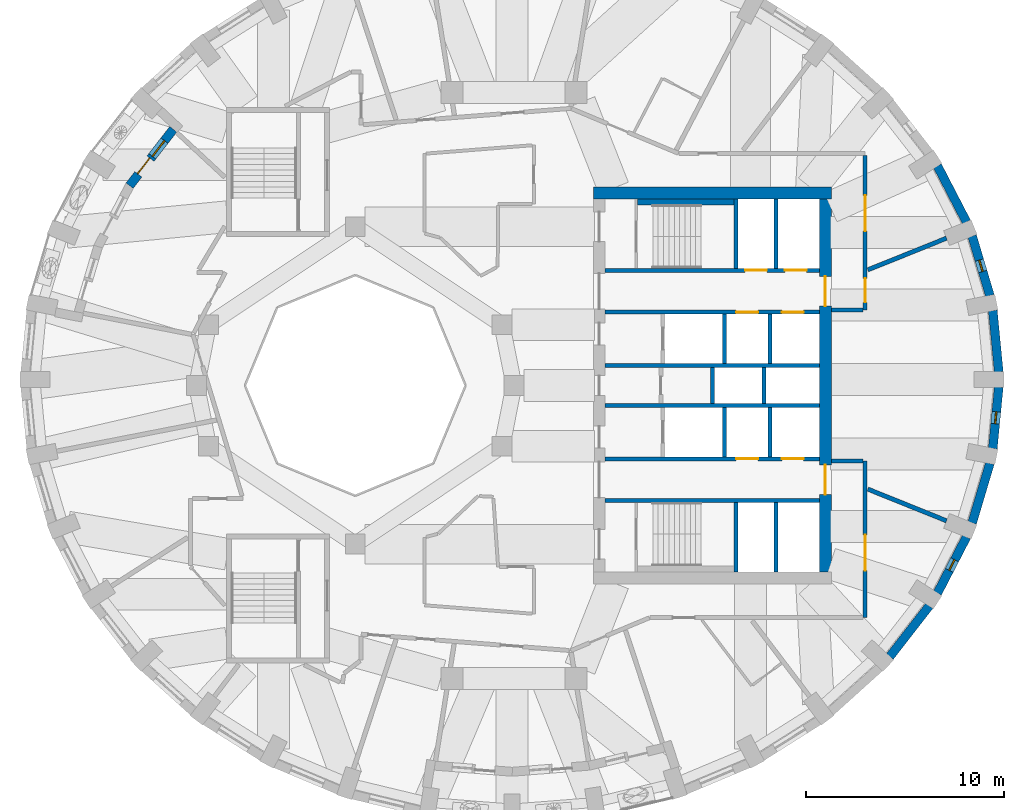
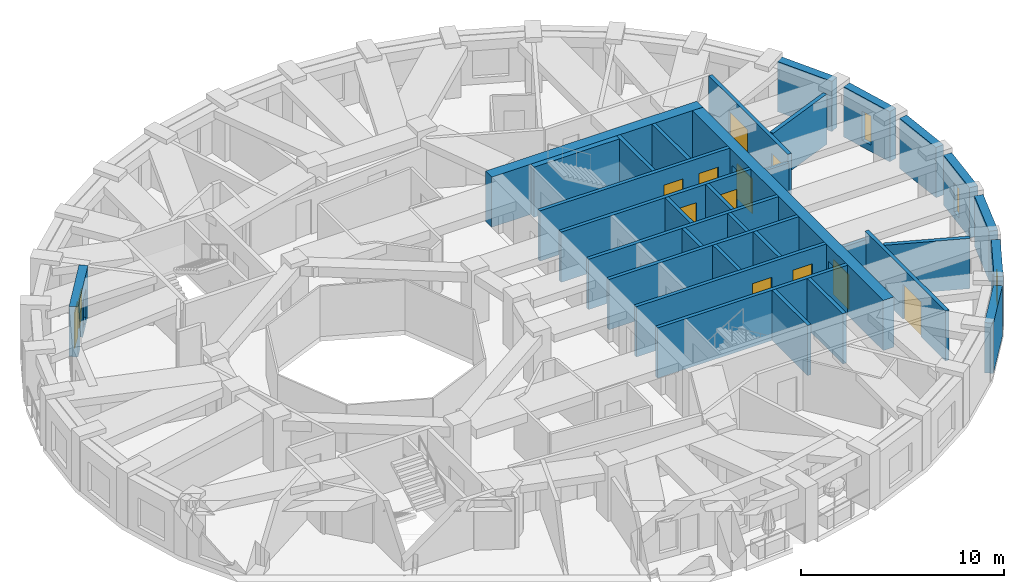
# One storey, part 6 of 12: 33 walls, 12 doors, 4 windows, 16 openings.
"""IFC4 building model written with IfcOpenShell, lengths in metres."""

from ifc_helpers import new_model, si_unit, direction, frame, frame_2d, origin, place, context, subcontext, project, spatial, rectangle, extrude, material, layer, layer_set, type_object, element, fill, save


model = new_model("IFC4")

# Units and contexts
model_context = context("Model", 3, precision=1e-05, world=origin(), true_north=direction((0.0, 1.0)))
body_context = subcontext(model_context, "Body", "Model", "MODEL_VIEW")
ifc_project = project(units=[si_unit("LENGTHUNIT", "METRE"), si_unit("AREAUNIT", "SQUARE_METRE"), si_unit("VOLUMEUNIT", "CUBIC_METRE"), si_unit("PLANEANGLEUNIT", "RADIAN"), si_unit("MASSUNIT", "GRAM", prefix="KILO")], contexts=[model_context])

# Site, building, storey
site_placement = place(None, origin())
site = spatial("IfcSite", under=ifc_project, at=site_placement, CompositionType="ELEMENT")
building_placement = place(site_placement, origin())
building = spatial("IfcBuilding", under=site, at=building_placement, Name="Taillehof Tower", CompositionType="ELEMENT")
storey_placement = place(building_placement, frame((0.0, 0.0, 249.800048828125)))
storey = spatial("IfcBuildingStorey", under=building, at=storey_placement, Name="L71", CompositionType="ELEMENT", Elevation=249.800048828125)

# Wall
ifc_material_1 = material(Name="Brick masonry", Category="masonry")
ifc_layer_1 = layer(ifc_material_1, 0.449951171875)
ifc_layer_set_1 = layer_set([ifc_layer_1], Name="Brick infill wall 450")
wall_type_1 = type_object("IfcWallType", Name="Brick infill wall 450", PredefinedType="SOLIDWALL", material=ifc_layer_set_1)
wall_1_placement = place(storey_placement, frame((24.43701171875, 0.68017578125, 0.0), z_axis=(0.0, 0.0, 1.0), x_axis=(-0.096740086873, 0.995309678237, 0.0)))
element("IfcWall", 1, at=wall_1_placement, inside=storey, type_object=wall_type_1, Name="Brick wall L71 bay 1", PredefinedType="SOLIDWALL", context=body_context, shape_type="SweptSolid", body=[
    extrude(rectangle(XDim=3.1142578125, YDim=0.449951171875, at=frame_2d((1.55712890625, 0.0))), origin(), (0.0, 0.0, 1.0), 3.02001953125),
])

# Wall, opening, window
wall_2_placement = place(storey_placement, frame((23.989990234375, 4.52587890625, 0.0), z_axis=(0.0, 0.0, 1.0), x_axis=(-0.285263800865, 0.958449040855, 0.0)))
wall_2 = element("IfcWall", 2, at=wall_2_placement, inside=storey, type_object=wall_type_1, Name="Brick wall L71 bay 2", PredefinedType="SOLIDWALL", context=body_context, shape_type="SweptSolid", body=[
    extrude(rectangle(XDim=3.13916015625, YDim=0.449951171875, at=frame_2d((1.569580078125, 0.0))), origin(), (0.0, 0.0, 1.0), 3.02001953125),
])
opening_1_placement = place(wall_2_placement, frame((1.26953125, 0.0, 0.39990234375)))
opening_1 = element("IfcOpeningElement", 3, at=opening_1_placement, cuts=wall_2, Name="Opening W6", PredefinedType="OPENING", context=body_context, shape_type="SweptSolid", body=[
    extrude(rectangle(XDim=0.60009765625, YDim=1.75, at=frame_2d((0.300048828125, 0.875))), frame((0.0, 0.23486328125, 0.0), z_axis=(0.0, -1.0, 0.0), x_axis=(1.0, 0.0, 0.0)), (0.0, 0.0, 1.0), 0.469970703125),
])
ifc_material_2 = material(Name="Aluminium window frame with clear double glazing", Category="aluminium")
window_type_1 = type_object("IfcWindowType", Name="Slot window 600x1750", PartitioningType="SINGLE_PANEL", PredefinedType="WINDOW", material=ifc_material_2)
window_1_placement = place(opening_1_placement, origin())
window_1 = element("IfcWindow", 4, at=window_1_placement, inside=storey, type_object=window_type_1, Name="W6", OverallHeight=1.75, OverallWidth=0.60009765625, PartitioningType="SINGLE_PANEL", PredefinedType="WINDOW", context=body_context, shape_type="SweptSolid", body=[
    extrude(rectangle(XDim=0.60009765625, YDim=1.75, at=frame_2d((0.300048828125, 0.875))), frame((0.0, 0.034912109375, 0.0), z_axis=(0.0, -1.0, 0.0), x_axis=(1.0, 0.0, 0.0)), (0.0, 0.0, 1.0), 0.06005859375),
])
fill(opening_1, window_1)

# Walls
wall_3_placement = place(storey_placement, frame((22.81005859375, 8.239501953125, 0.0), z_axis=(0.0, 0.0, 1.0), x_axis=(-0.459889857669, 0.887975967475, 0.0)))
element("IfcWall", 5, at=wall_3_placement, inside=storey, type_object=wall_type_1, Name="Brick wall L71 bay 3", PredefinedType="SOLIDWALL", context=body_context, shape_type="SweptSolid", body=[
    extrude(rectangle(XDim=3.185791015625, YDim=0.449951171875, at=frame_2d((1.5927734375, 0.0))), origin(), (0.0, 0.0, 1.0), 3.02001953125),
])
wall_4_placement = place(storey_placement, frame((18.941650390625, -13.671875, 0.0), z_axis=(0.0, 0.0, 1.0), x_axis=(0.613898970825, 0.789384604372, 0.0)))
element("IfcWall", 6, at=wall_4_placement, inside=storey, type_object=wall_type_1, Name="Brick wall L71 bay 33", PredefinedType="SOLIDWALL", context=body_context, shape_type="SweptSolid", body=[
    extrude(rectangle(XDim=3.2470703125, YDim=0.449951171875, at=frame_2d((1.62353515625, 0.0))), origin(), (0.0, 0.0, 1.0), 3.02001953125),
])

# Wall, opening, window
wall_5_placement = place(storey_placement, frame((21.344970703125, -10.46826171875, 0.0), z_axis=(0.0, 0.0, 1.0), x_axis=(0.459921155255, 0.887959757505, 0.0)))
wall_5 = element("IfcWall", 7, at=wall_5_placement, inside=storey, type_object=wall_type_1, Name="Brick wall L71 bay 34", PredefinedType="SOLIDWALL", context=body_context, shape_type="SweptSolid", body=[
    extrude(rectangle(XDim=3.185546875, YDim=0.449951171875, at=frame_2d((1.5927734375, 0.0))), origin(), (0.0, 0.0, 1.0), 3.02001953125),
])
opening_2_placement = place(wall_5_placement, frame((1.292724609375, 0.0, 0.39990234375)))
opening_2 = element("IfcOpeningElement", 8, at=opening_2_placement, cuts=wall_5, Name="Opening W6", PredefinedType="OPENING", context=body_context, shape_type="SweptSolid", body=[
    extrude(rectangle(XDim=0.60009765625, YDim=1.75, at=frame_2d((0.300048828125, 0.875))), frame((0.0, 0.23486328125, 0.0), z_axis=(0.0, -1.0, 0.0), x_axis=(1.0, 0.0, 0.0)), (0.0, 0.0, 1.0), 0.469970703125),
])
window_2_placement = place(opening_2_placement, origin())
window_2 = element("IfcWindow", 9, at=window_2_placement, inside=storey, type_object=window_type_1, Name="W6", OverallHeight=1.75, OverallWidth=0.60009765625, PartitioningType="SINGLE_PANEL", PredefinedType="WINDOW", context=body_context, shape_type="SweptSolid", body=[
    extrude(rectangle(XDim=0.60009765625, YDim=1.75, at=frame_2d((0.300048828125, 0.875))), frame((0.0, 0.034912109375, 0.0), z_axis=(0.0, -1.0, 0.0), x_axis=(1.0, 0.0, 0.0)), (0.0, 0.0, 1.0), 0.06005859375),
])
fill(opening_2, window_2)

# Wall
wall_6_placement = place(storey_placement, frame((23.094482421875, -6.9345703125, 0.0), z_axis=(0.0, 0.0, 1.0), x_axis=(0.285263800865, 0.958449040855, 0.0)))
element("IfcWall", 10, at=wall_6_placement, inside=storey, type_object=wall_type_1, Name="Brick wall L71 bay 35", PredefinedType="SOLIDWALL", context=body_context, shape_type="SweptSolid", body=[
    extrude(rectangle(XDim=3.13916015625, YDim=0.449951171875, at=frame_2d((1.569580078125, 0.0))), origin(), (0.0, 0.0, 1.0), 3.02001953125),
])

# Wall, opening, window
wall_7_placement = place(storey_placement, frame((24.1357421875, -3.179931640625, 0.0), z_axis=(0.0, 0.0, 1.0), x_axis=(0.09673253904, 0.995310411827, 0.0)))
wall_7 = element("IfcWall", 11, at=wall_7_placement, inside=storey, type_object=wall_type_1, Name="Brick wall L71 bay 36", PredefinedType="SOLIDWALL", context=body_context, shape_type="SweptSolid", body=[
    extrude(rectangle(XDim=3.114501953125, YDim=0.449951171875, at=frame_2d((1.55712890625, 0.0))), origin(), (0.0, 0.0, 1.0), 3.02001953125),
])
opening_3_placement = place(wall_7_placement, frame((1.257080078125, 0.0, 0.39990234375)))
opening_3 = element("IfcOpeningElement", 12, at=opening_3_placement, cuts=wall_7, Name="Opening W6", PredefinedType="OPENING", context=body_context, shape_type="SweptSolid", body=[
    extrude(rectangle(XDim=0.60009765625, YDim=1.75, at=frame_2d((0.300048828125, 0.875))), frame((0.0, 0.23486328125, 0.0), z_axis=(0.0, -1.0, 0.0), x_axis=(1.0, 0.0, 0.0)), (0.0, 0.0, 1.0), 0.469970703125),
])
window_3_placement = place(opening_3_placement, origin())
window_3 = element("IfcWindow", 13, at=window_3_placement, inside=storey, type_object=window_type_1, Name="W6", OverallHeight=1.75, OverallWidth=0.60009765625, PartitioningType="SINGLE_PANEL", PredefinedType="WINDOW", context=body_context, shape_type="SweptSolid", body=[
    extrude(rectangle(XDim=0.60009765625, YDim=1.75, at=frame_2d((0.300048828125, 0.875))), frame((0.0, 0.034912109375, 0.0), z_axis=(0.0, -1.0, 0.0), x_axis=(1.0, 0.0, 0.0)), (0.0, 0.0, 1.0), 0.06005859375),
])
fill(opening_3, window_3)

# Wall, openings, door, window
wall_8_placement = place(storey_placement, frame((-17.174072265625, 12.9111328125, 0.0), z_axis=(0.0, 0.0, 1.0), x_axis=(-0.612774197557, -0.79025804824, 0.0)))
wall_8 = element("IfcWall", 14, at=wall_8_placement, inside=storey, type_object=wall_type_1, Name="Brick wall L71 pocket bay 15", PredefinedType="SOLIDWALL", context=body_context, shape_type="SweptSolid", body=[
    extrude(rectangle(XDim=3.595703125, YDim=0.449951171875, at=frame_2d((1.7978515625, 0.0))), origin(), (0.0, 0.0, 1.0), 3.02001953125),
])
opening_4_placement = place(wall_8_placement, frame((0.722900390625, 0.0, 0.39990234375)))
opening_4 = element("IfcOpeningElement", 15, at=opening_4_placement, cuts=wall_8, Name="Opening W5", PredefinedType="OPENING", context=body_context, shape_type="SweptSolid", body=[
    extrude(rectangle(XDim=1.0, YDim=1.75, at=frame_2d((0.5, 0.875))), frame((0.0, 0.23486328125, 0.0), z_axis=(0.0, -1.0, 0.0), x_axis=(1.0, 0.0, 0.0)), (0.0, 0.0, 1.0), 0.469970703125),
])
opening_5_placement = place(wall_8_placement, frame((1.872802734375, 0.0, 0.0)))
opening_5 = element("IfcOpeningElement", 16, at=opening_5_placement, cuts=wall_8, Name="Opening D7194", PredefinedType="OPENING", context=body_context, shape_type="SweptSolid", body=[
    extrude(rectangle(XDim=1.0, YDim=2.14990234375, at=frame_2d((0.5, 1.074951171875))), frame((0.0, 0.23486328125, 0.0), z_axis=(0.0, -1.0, 0.0), x_axis=(1.0, 0.0, 0.0)), (0.0, 0.0, 1.0), 0.469970703125),
])
ifc_material_3 = material(Name="Aluminium door frame with clear double glazing", Category="aluminium")
door_type_1 = type_object("IfcDoorType", Name="Balcony door 1000x2150", OperationType="SINGLE_SWING_RIGHT", PredefinedType="DOOR", material=ifc_material_3)
door_1_placement = place(opening_5_placement, frame((1.0, 0.0, 0.0), z_axis=(0.0, 0.0, 1.0), x_axis=(-1.0, 0.0, 0.0)))
door_1 = element("IfcDoor", 17, at=door_1_placement, inside=storey, type_object=door_type_1, Name="Balcony door L71 bay 15", OperationType="SINGLE_SWING_RIGHT", OverallHeight=2.14990234375, OverallWidth=1.0, PredefinedType="DOOR", context=body_context, shape_type="SweptSolid", body=[
    extrude(rectangle(XDim=1.0, YDim=2.14990234375, at=frame_2d((0.5, 1.074951171875))), frame((0.0, 0.0751953125, 0.0), z_axis=(0.0, -1.0, 0.0), x_axis=(1.0, 0.0, 0.0)), (0.0, 0.0, 1.0), 0.050048828125),
])
fill(opening_5, door_1)
ifc_material_4 = material(Name="Aluminium window frame with clear double glazing", Category="aluminium")
window_type_2 = type_object("IfcWindowType", Name="Fixed window 1000x1750", PartitioningType="SINGLE_PANEL", PredefinedType="WINDOW", material=ifc_material_4)
window_4_placement = place(opening_4_placement, origin())
window_4 = element("IfcWindow", 18, at=window_4_placement, inside=storey, type_object=window_type_2, Name="W5", OverallHeight=1.75, OverallWidth=1.0, PartitioningType="SINGLE_PANEL", PredefinedType="WINDOW", context=body_context, shape_type="SweptSolid", body=[
    extrude(rectangle(XDim=1.0, YDim=1.75, at=frame_2d((0.5, 0.875))), frame((0.0, 0.034912109375, 0.0), z_axis=(0.0, -1.0, 0.0), x_axis=(1.0, 0.0, 0.0)), (0.0, 0.0, 1.0), 0.06005859375),
])
fill(opening_4, window_4)

# Walls
ifc_material_5 = material(Name="Calcium silicate masonry", Category="masonry")
ifc_layer_2 = layer(ifc_material_5, 0.199951171875)
ifc_layer_set_2 = layer_set([ifc_layer_2], Name="Compartment wall calcium silicate 200")
wall_type_2 = type_object("IfcWallType", Name="Compartment wall calcium silicate 200", PredefinedType="PARTITIONING", material=ifc_layer_set_2)
for number, where, z_axis, x_axis, name in (
    (19, (10.0, -0.89990234375, 0.0), (0.0, 0.0, 1.0), (0.0, 1.0, 0.0), "Compartment wall FW"),
    (20, (12.60009765625, -0.89990234375, 0.0), (0.0, 0.0, 1.0), (0.0, 1.0, 0.0), "Compartment wall FW"),
):
    element("IfcWall", number, at=place(storey_placement, frame(where, z_axis=z_axis, x_axis=x_axis)), inside=storey, type_object=wall_type_2, Name=name, PredefinedType="PARTITIONING", context=body_context, shape_type="SweptSolid", body=[
        extrude(rectangle(XDim=1.7998046875, YDim=0.199951171875, at=frame_2d((0.89990234375, 0.0))), origin(), (0.0, 0.0, 1.0), 3.02001953125),
    ])

# Wall, opening, door
ifc_material_6 = material(Name="Gypsum board on steel studs, two layers each side", Category="steel")
ifc_layer_3 = layer(ifc_material_6, 0.199951171875)
ifc_layer_set_3 = layer_set([ifc_layer_3], Name="Compartment wall corridor 200")
wall_type_3 = type_object("IfcWallType", Name="Compartment wall corridor 200", PredefinedType="PARTITIONING", material=ifc_layer_set_3)
wall_9_placement = place(storey_placement, frame((17.699951171875, -3.800048828125, 0.0), z_axis=(0.0, 0.0, 1.0), x_axis=(0.0, -1.0, 0.0)))
wall_9 = element("IfcWall", 21, at=wall_9_placement, inside=storey, type_object=wall_type_3, Name="Compartment wall", PredefinedType="PARTITIONING", context=body_context, shape_type="SweptSolid", body=[
    extrude(rectangle(XDim=7.89990234375, YDim=0.199951171875, at=frame_2d((3.949951171875, 0.0))), origin(), (0.0, 0.0, 1.0), 3.02001953125),
])
opening_6_placement = place(wall_9_placement, frame((3.72998046875, 0.0, 0.0)))
opening_6 = element("IfcOpeningElement", 22, at=opening_6_placement, cuts=wall_9, Name="Opening D7156", PredefinedType="OPENING", context=body_context, shape_type="SweptSolid", body=[
    extrude(rectangle(XDim=1.800048828125, YDim=2.10009765625, at=frame_2d((0.89990234375, 1.050048828125))), frame((0.0, 0.10986328125, 0.0), z_axis=(0.0, -1.0, 0.0), x_axis=(1.0, 0.0, 0.0)), (0.0, 0.0, 1.0), 0.219970703125),
])
ifc_material_7 = material(Name="Timber door leaf in steel frame", Category="steel")
door_type_2 = type_object("IfcDoorType", Name="Lounge and meeting room double door EI 30 1800 x 2100", OperationType="SINGLE_SWING_LEFT", PredefinedType="DOOR", material=ifc_material_7)
door_2_placement = place(opening_6_placement, origin())
door_2 = element("IfcDoor", 23, at=door_2_placement, inside=storey, type_object=door_type_2, Name="D7156", OperationType="DOUBLE_DOOR_SINGLE_SWING", OverallHeight=2.10009765625, OverallWidth=1.800048828125, PredefinedType="DOOR", context=body_context, shape_type="SweptSolid", body=[
    extrude(rectangle(XDim=1.800048828125, YDim=2.10009765625, at=frame_2d((0.89990234375, 1.050048828125))), frame((0.0, 0.02490234375, 0.0), z_axis=(0.0, -1.0, 0.0), x_axis=(1.0, 0.0, 0.0)), (0.0, 0.0, 1.0), 0.050048828125),
])
fill(opening_6, door_2)

# Wall, openings, doors
wall_10_placement = place(storey_placement, frame((17.699951171875, 11.599853515625, 0.0), z_axis=(0.0, 0.0, 1.0), x_axis=(0.0, -1.0, 0.0)))
wall_10 = element("IfcWall", 24, at=wall_10_placement, inside=storey, type_object=wall_type_3, Name="Compartment wall", PredefinedType="PARTITIONING", context=body_context, shape_type="SweptSolid", body=[
    extrude(rectangle(XDim=7.7998046875, YDim=0.199951171875, at=frame_2d((3.89990234375, 0.0))), origin(), (0.0, 0.0, 1.0), 3.02001953125),
])
opening_7_placement = place(wall_10_placement, frame((6.208984375, 0.0, 0.0)))
opening_7 = element("IfcOpeningElement", 25, at=opening_7_placement, cuts=wall_10, Name="Opening D7157", PredefinedType="OPENING", context=body_context, shape_type="SweptSolid", body=[
    extrude(rectangle(XDim=1.199951171875, YDim=2.10009765625, at=frame_2d((0.60009765625, 1.050048828125))), frame((0.0, 0.10986328125, 0.0), z_axis=(0.0, -1.0, 0.0), x_axis=(1.0, 0.0, 0.0)), (0.0, 0.0, 1.0), 0.219970703125),
])
opening_8_placement = place(wall_10_placement, frame((2.02001953125, 0.0, 0.0)))
opening_8 = element("IfcOpeningElement", 26, at=opening_8_placement, cuts=wall_10, Name="Opening D7158", PredefinedType="OPENING", context=body_context, shape_type="SweptSolid", body=[
    extrude(rectangle(XDim=1.800048828125, YDim=2.10009765625, at=frame_2d((0.89990234375, 1.050048828125))), frame((0.0, 0.10986328125, 0.0), z_axis=(0.0, -1.0, 0.0), x_axis=(1.0, 0.0, 0.0)), (0.0, 0.0, 1.0), 0.219970703125),
])
door_3_placement = place(opening_8_placement, origin())
door_3 = element("IfcDoor", 27, at=door_3_placement, inside=storey, type_object=door_type_2, Name="D7158", OperationType="DOUBLE_DOOR_SINGLE_SWING", OverallHeight=2.10009765625, OverallWidth=1.800048828125, PredefinedType="DOOR", context=body_context, shape_type="SweptSolid", body=[
    extrude(rectangle(XDim=1.800048828125, YDim=2.10009765625, at=frame_2d((0.89990234375, 1.050048828125))), frame((0.0, 0.02490234375, 0.0), z_axis=(0.0, -1.0, 0.0), x_axis=(1.0, 0.0, 0.0)), (0.0, 0.0, 1.0), 0.050048828125),
])
fill(opening_8, door_3)
ifc_material_8 = material(Name="Timber door leaf in steel frame", Category="steel")
door_type_3 = type_object("IfcDoorType", Name="Suite entrance door EI 30 1200 x 2100", OperationType="SINGLE_SWING_LEFT", PredefinedType="DOOR", material=ifc_material_8)
door_4_placement = place(opening_7_placement, origin())
door_4 = element("IfcDoor", 28, at=door_4_placement, inside=storey, type_object=door_type_3, Name="D7157", OperationType="SINGLE_SWING_LEFT", OverallHeight=2.10009765625, OverallWidth=1.199951171875, PredefinedType="DOOR", context=body_context, shape_type="SweptSolid", body=[
    extrude(rectangle(XDim=1.199951171875, YDim=2.10009765625, at=frame_2d((0.60009765625, 1.050048828125))), frame((0.0, 0.02490234375, 0.0), z_axis=(0.0, -1.0, 0.0), x_axis=(1.0, 0.0, 0.0)), (0.0, 0.0, 1.0), 0.050048828125),
])
fill(opening_7, door_4)

# Walls
for number, where, z_axis, x_axis, name in (
    (29, (17.599853515625, 3.800048828125, 0.0), (0.0, 0.0, 1.0), (-1.0, 0.0, 0.0), "Compartment wall"),
    (30, (16.00390625, -3.800048828125, 0.0), (0.0, 0.0, 1.0), (1.0, 0.0, 0.0), "Compartment wall"),
):
    element("IfcWall", number, at=place(storey_placement, frame(where, z_axis=z_axis, x_axis=x_axis)), inside=storey, type_object=wall_type_3, Name=name, PredefinedType="PARTITIONING", context=body_context, shape_type="SweptSolid", body=[
        extrude(rectangle(XDim=1.595947265625, YDim=0.199951171875, at=frame_2d((0.7978515625, 0.0))), origin(), (0.0, 0.0, 1.0), 2.570068359375),
    ])
ifc_material_9 = material(Name="Gypsum board on double steel studs with mineral wool", Category="steel")
ifc_layer_4 = layer(ifc_material_9, 0.219970703125)
ifc_layer_set_4 = layer_set([ifc_layer_4], Name="Compartment wall guest room 220")
wall_type_4 = type_object("IfcWallType", Name="Compartment wall guest room 220", PredefinedType="PARTITIONING", material=ifc_layer_set_4)
for number, where, z_axis, x_axis, name in (
    (31, (21.803955078125, 7.42431640625, 0.0), (0.0, 0.0, 1.0), (-0.927552565226, -0.373692706301, 0.0), "Compartment wall"),
    (32, (21.803955078125, -6.824462890625, 0.0), (0.0, 0.0, 1.0), (-0.92753277681, 0.373741819902, 0.0), "Compartment wall"),
):
    element("IfcWall", number, at=place(storey_placement, frame(where, z_axis=z_axis, x_axis=x_axis)), inside=storey, type_object=wall_type_4, Name=name, PredefinedType="PARTITIONING", context=body_context, shape_type="SweptSolid", body=[
        extrude(rectangle(XDim=4.276611328125, YDim=0.219970703125, at=frame_2d((2.13818359375, 0.0))), origin(), (0.0, 0.0, 1.0), 3.02001953125),
    ])
ifc_material_10 = material(Name="Calcium silicate masonry", Category="masonry")
ifc_layer_5 = layer(ifc_material_10, 0.300048828125)
ifc_layer_set_5 = layer_set([ifc_layer_5], Name="Compartment wall lining calcium silicate 300")
wall_type_5 = type_object("IfcWallType", Name="Compartment wall lining calcium silicate 300", PredefinedType="PARTITIONING", material=ifc_layer_set_5)
wall_11_placement = place(storey_placement, frame((6.219970703125, 9.25, 0.0), z_axis=(0.0, 0.0, 1.0), x_axis=(1.0, 0.0, 0.0)))
element("IfcWall", 33, at=wall_11_placement, inside=storey, type_object=wall_type_5, Name="Compartment wall FW", PredefinedType="PARTITIONING", context=body_context, shape_type="SweptSolid", body=[
    extrude(rectangle(XDim=4.880126953125, YDim=0.300048828125, at=frame_2d((2.43994140625, 0.0))), origin(), (0.0, 0.0, 1.0), 3.02001953125),
])

# Wall, openings, doors
ifc_material_11 = material(Name="Concrete C80/95", Category="concrete")
ifc_layer_6 = layer(ifc_material_11, 0.60009765625)
ifc_layer_set_6 = layer_set([ifc_layer_6], Name="Core wall C80/95 600")
wall_type_6 = type_object("IfcWallType", Name="Core wall C80/95 600", PredefinedType="SHEAR", material=ifc_layer_set_6)
wall_12_placement = place(storey_placement, frame((15.699951171875, -9.39990234375, 0.0), z_axis=(0.0, 0.0, 1.0), x_axis=(0.0, 1.0, 0.0)))
wall_12 = element("IfcWall", 34, at=wall_12_placement, inside=storey, type_object=wall_type_6, Name="Core wall CW05", PredefinedType="SHEAR", context=body_context, shape_type="SweptSolid", body=[
    extrude(rectangle(XDim=18.7998046875, YDim=0.60009765625, at=frame_2d((9.39990234375, 0.0))), origin(), (0.0, 0.0, 1.0), 3.02001953125),
])
opening_9_placement = place(wall_12_placement, frame((13.39990234375, 0.0, 0.0)))
opening_9 = element("IfcOpeningElement", 35, at=opening_9_placement, cuts=wall_12, Name="Opening D7108", PredefinedType="OPENING", context=body_context, shape_type="SweptSolid", body=[
    extrude(rectangle(XDim=1.5, YDim=2.10009765625, at=frame_2d((0.75, 1.050048828125))), frame((0.0, 0.31005859375, 0.0), z_axis=(0.0, -1.0, 0.0), x_axis=(1.0, 0.0, 0.0)), (0.0, 0.0, 1.0), 0.6201171875),
])
opening_10_placement = place(wall_12_placement, frame((3.89990234375, 0.0, 0.0)))
opening_10 = element("IfcOpeningElement", 36, at=opening_10_placement, cuts=wall_12, Name="Opening D7109", PredefinedType="OPENING", context=body_context, shape_type="SweptSolid", body=[
    extrude(rectangle(XDim=1.5, YDim=2.10009765625, at=frame_2d((0.75, 1.050048828125))), frame((0.0, 0.31005859375, 0.0), z_axis=(0.0, -1.0, 0.0), x_axis=(1.0, 0.0, 0.0)), (0.0, 0.0, 1.0), 0.6201171875),
])
ifc_material_12 = material(Name="Steel-faced fire door", Category="steel")
door_type_4 = type_object("IfcDoorType", Name="Lift lobby east door 1500x2100", OperationType="DOUBLE_DOOR_SINGLE_SWING", PredefinedType="DOOR", material=ifc_material_12)
door_5_placement = place(opening_9_placement, origin())
door_5 = element("IfcDoor", 37, at=door_5_placement, inside=storey, type_object=door_type_4, Name="Lift lobby east door north", OperationType="DOUBLE_DOOR_SINGLE_SWING", OverallHeight=2.10009765625, OverallWidth=1.5, PredefinedType="DOOR", context=body_context, shape_type="SweptSolid", body=[
    extrude(rectangle(XDim=1.5, YDim=2.10009765625, at=frame_2d((0.75, 1.050048828125))), frame((0.0, 0.02490234375, 0.0), z_axis=(0.0, -1.0, 0.0), x_axis=(1.0, 0.0, 0.0)), (0.0, 0.0, 1.0), 0.050048828125),
])
fill(opening_9, door_5)
door_6_placement = place(opening_10_placement, origin())
door_6 = element("IfcDoor", 38, at=door_6_placement, inside=storey, type_object=door_type_4, Name="Lift lobby east door south", OperationType="DOUBLE_DOOR_SINGLE_SWING", OverallHeight=2.10009765625, OverallWidth=1.5, PredefinedType="DOOR", context=body_context, shape_type="SweptSolid", body=[
    extrude(rectangle(XDim=1.5, YDim=2.10009765625, at=frame_2d((0.75, 1.050048828125))), frame((0.0, 0.02490234375, 0.0), z_axis=(0.0, -1.0, 0.0), x_axis=(1.0, 0.0, 0.0)), (0.0, 0.0, 1.0), 0.050048828125),
])
fill(opening_10, door_6)

# Wall
wall_13_placement = place(storey_placement, frame((4.0, 9.699951171875, 0.0), z_axis=(0.0, 0.0, 1.0), x_axis=(1.0, 0.0, 0.0)))
element("IfcWall", 39, at=wall_13_placement, inside=storey, type_object=wall_type_6, Name="Core wall CW06", PredefinedType="SHEAR", context=body_context, shape_type="SweptSolid", body=[
    extrude(rectangle(XDim=12.0, YDim=0.60009765625, at=frame_2d((6.0, 0.0))), origin(), (0.0, 0.0, 1.0), 3.02001953125),
])

# Wall, openings, doors
ifc_material_13 = material(Name="Concrete C50/60", Category="concrete")
ifc_layer_7 = layer(ifc_material_13, 0.199951171875)
ifc_layer_set_7 = layer_set([ifc_layer_7], Name="Shaft wall C50/60 200")
wall_type_7 = type_object("IfcWallType", Name="Shaft wall C50/60 200", PredefinedType="SHEAR", material=ifc_layer_set_7)
wall_14_placement = place(storey_placement, frame((4.60009765625, 5.800048828125, 0.0), z_axis=(0.0, 0.0, 1.0), x_axis=(1.0, 0.0, 0.0)))
wall_14 = element("IfcWall", 40, at=wall_14_placement, inside=storey, type_object=wall_type_7, Name="Shaft wall SW", PredefinedType="SHEAR", context=body_context, shape_type="SweptSolid", body=[
    extrude(rectangle(XDim=10.7998046875, YDim=0.199951171875, at=frame_2d((5.39990234375, 0.0))), origin(), (0.0, 0.0, 1.0), 3.02001953125),
])
opening_11_placement = place(wall_14_placement, frame((7.050048828125, 0.0, 0.0)))
opening_11 = element("IfcOpeningElement", 41, at=opening_11_placement, cuts=wall_14, Name="Opening LD1", PredefinedType="OPENING", context=body_context, shape_type="SweptSolid", body=[
    extrude(rectangle(XDim=1.10009765625, YDim=2.10009765625, at=frame_2d((0.550048828125, 1.050048828125))), frame((0.0, 0.10986328125, 0.0), z_axis=(0.0, -1.0, 0.0), x_axis=(1.0, 0.0, 0.0)), (0.0, 0.0, 1.0), 0.219970703125),
])
opening_12_placement = place(wall_14_placement, frame((9.050048828125, 0.0, 0.0)))
opening_12 = element("IfcOpeningElement", 42, at=opening_12_placement, cuts=wall_14, Name="Opening LD1", PredefinedType="OPENING", context=body_context, shape_type="SweptSolid", body=[
    extrude(rectangle(XDim=1.10009765625, YDim=2.10009765625, at=frame_2d((0.550048828125, 1.050048828125))), frame((0.0, 0.10986328125, 0.0), z_axis=(0.0, -1.0, 0.0), x_axis=(1.0, 0.0, 0.0)), (0.0, 0.0, 1.0), 0.219970703125),
])
ifc_material_14 = material(Name="Stainless steel", Category="steel")
door_type_5 = type_object("IfcDoorType", Name="Lift landing door LD1 1100x2100", OperationType="DOUBLE_DOOR_SLIDING", PredefinedType="DOOR", material=ifc_material_14)
door_7_placement = place(opening_11_placement, origin())
door_7 = element("IfcDoor", 43, at=door_7_placement, inside=storey, type_object=door_type_5, Name="Landing door HR1", OperationType="DOUBLE_DOOR_SLIDING", OverallHeight=2.10009765625, OverallWidth=1.10009765625, PredefinedType="DOOR", context=body_context, shape_type="SweptSolid", body=[
    extrude(rectangle(XDim=1.10009765625, YDim=2.10009765625, at=frame_2d((0.550048828125, 1.050048828125))), frame((0.0, 0.02490234375, 0.0), z_axis=(0.0, -1.0, 0.0), x_axis=(1.0, 0.0, 0.0)), (0.0, 0.0, 1.0), 0.050048828125),
])
fill(opening_11, door_7)
door_8_placement = place(opening_12_placement, origin())
door_8 = element("IfcDoor", 44, at=door_8_placement, inside=storey, type_object=door_type_5, Name="Landing door HR2", OperationType="DOUBLE_DOOR_SLIDING", OverallHeight=2.10009765625, OverallWidth=1.10009765625, PredefinedType="DOOR", context=body_context, shape_type="SweptSolid", body=[
    extrude(rectangle(XDim=1.10009765625, YDim=2.10009765625, at=frame_2d((0.550048828125, 1.050048828125))), frame((0.0, 0.02490234375, 0.0), z_axis=(0.0, -1.0, 0.0), x_axis=(1.0, 0.0, 0.0)), (0.0, 0.0, 1.0), 0.050048828125),
])
fill(opening_12, door_8)

wall_15_placement = place(storey_placement, frame((4.60009765625, 3.699951171875, 0.0), z_axis=(0.0, 0.0, 1.0), x_axis=(1.0, 0.0, 0.0)))
wall_15 = element("IfcWall", 45, at=wall_15_placement, inside=storey, type_object=wall_type_7, Name="Shaft wall SW", PredefinedType="SHEAR", context=body_context, shape_type="SweptSolid", body=[
    extrude(rectangle(XDim=10.7998046875, YDim=0.199951171875, at=frame_2d((5.39990234375, 0.0))), origin(), (0.0, 0.0, 1.0), 3.02001953125),
])
opening_13_placement = place(wall_15_placement, frame((6.60009765625, 0.0, 0.0)))
opening_13 = element("IfcOpeningElement", 46, at=opening_13_placement, cuts=wall_15, Name="Opening LD1", PredefinedType="OPENING", context=body_context, shape_type="SweptSolid", body=[
    extrude(rectangle(XDim=1.10009765625, YDim=2.10009765625, at=frame_2d((0.550048828125, 1.050048828125))), frame((0.0, 0.10986328125, 0.0), z_axis=(0.0, -1.0, 0.0), x_axis=(1.0, 0.0, 0.0)), (0.0, 0.0, 1.0), 0.219970703125),
])
opening_14_placement = place(wall_15_placement, frame((8.89990234375, 0.0, 0.0)))
opening_14 = element("IfcOpeningElement", 47, at=opening_14_placement, cuts=wall_15, Name="Opening LD1", PredefinedType="OPENING", context=body_context, shape_type="SweptSolid", body=[
    extrude(rectangle(XDim=1.10009765625, YDim=2.10009765625, at=frame_2d((0.550048828125, 1.050048828125))), frame((0.0, 0.10986328125, 0.0), z_axis=(0.0, -1.0, 0.0), x_axis=(1.0, 0.0, 0.0)), (0.0, 0.0, 1.0), 0.219970703125),
])
door_9_placement = place(opening_13_placement, origin())
door_9 = element("IfcDoor", 48, at=door_9_placement, inside=storey, type_object=door_type_5, Name="Landing door HR3", OperationType="DOUBLE_DOOR_SLIDING", OverallHeight=2.10009765625, OverallWidth=1.10009765625, PredefinedType="DOOR", context=body_context, shape_type="SweptSolid", body=[
    extrude(rectangle(XDim=1.10009765625, YDim=2.10009765625, at=frame_2d((0.550048828125, 1.050048828125))), frame((0.0, 0.02490234375, 0.0), z_axis=(0.0, -1.0, 0.0), x_axis=(1.0, 0.0, 0.0)), (0.0, 0.0, 1.0), 0.050048828125),
])
fill(opening_13, door_9)
door_10_placement = place(opening_14_placement, origin())
door_10 = element("IfcDoor", 49, at=door_10_placement, inside=storey, type_object=door_type_5, Name="Landing door HR4", OperationType="DOUBLE_DOOR_SLIDING", OverallHeight=2.10009765625, OverallWidth=1.10009765625, PredefinedType="DOOR", context=body_context, shape_type="SweptSolid", body=[
    extrude(rectangle(XDim=1.10009765625, YDim=2.10009765625, at=frame_2d((0.550048828125, 1.050048828125))), frame((0.0, 0.02490234375, 0.0), z_axis=(0.0, -1.0, 0.0), x_axis=(1.0, 0.0, 0.0)), (0.0, 0.0, 1.0), 0.050048828125),
])
fill(opening_14, door_10)

# Walls
for number, where, z_axis, x_axis, name in (
    (50, (4.60009765625, 1.0, 0.0), (0.0, 0.0, 1.0), (1.0, 0.0, 0.0), "Shaft wall SW"),
    (51, (4.60009765625, -1.0, 0.0), (0.0, 0.0, 1.0), (1.0, 0.0, 0.0), "Shaft wall SW"),
):
    element("IfcWall", number, at=place(storey_placement, frame(where, z_axis=z_axis, x_axis=x_axis)), inside=storey, type_object=wall_type_7, Name=name, PredefinedType="SHEAR", context=body_context, shape_type="SweptSolid", body=[
        extrude(rectangle(XDim=10.7998046875, YDim=0.199951171875, at=frame_2d((5.39990234375, 0.0))), origin(), (0.0, 0.0, 1.0), 3.02001953125),
    ])

# Wall, openings, doors
wall_16_placement = place(storey_placement, frame((4.60009765625, -3.699951171875, 0.0), z_axis=(0.0, 0.0, 1.0), x_axis=(1.0, 0.0, 0.0)))
wall_16 = element("IfcWall", 52, at=wall_16_placement, inside=storey, type_object=wall_type_7, Name="Shaft wall SW", PredefinedType="SHEAR", context=body_context, shape_type="SweptSolid", body=[
    extrude(rectangle(XDim=10.7998046875, YDim=0.199951171875, at=frame_2d((5.39990234375, 0.0))), origin(), (0.0, 0.0, 1.0), 3.02001953125),
])
opening_15_placement = place(wall_16_placement, frame((6.60009765625, 0.0, 0.0)))
opening_15 = element("IfcOpeningElement", 53, at=opening_15_placement, cuts=wall_16, Name="Opening LD1", PredefinedType="OPENING", context=body_context, shape_type="SweptSolid", body=[
    extrude(rectangle(XDim=1.10009765625, YDim=2.10009765625, at=frame_2d((0.550048828125, 1.050048828125))), frame((0.0, 0.10986328125, 0.0), z_axis=(0.0, -1.0, 0.0), x_axis=(1.0, 0.0, 0.0)), (0.0, 0.0, 1.0), 0.219970703125),
])
opening_16_placement = place(wall_16_placement, frame((8.89990234375, 0.0, 0.0)))
opening_16 = element("IfcOpeningElement", 54, at=opening_16_placement, cuts=wall_16, Name="Opening LD1", PredefinedType="OPENING", context=body_context, shape_type="SweptSolid", body=[
    extrude(rectangle(XDim=1.10009765625, YDim=2.10009765625, at=frame_2d((0.550048828125, 1.050048828125))), frame((0.0, 0.10986328125, 0.0), z_axis=(0.0, -1.0, 0.0), x_axis=(1.0, 0.0, 0.0)), (0.0, 0.0, 1.0), 0.219970703125),
])
door_11_placement = place(opening_15_placement, origin())
door_11 = element("IfcDoor", 55, at=door_11_placement, inside=storey, type_object=door_type_5, Name="Landing door HR5", OperationType="DOUBLE_DOOR_SLIDING", OverallHeight=2.10009765625, OverallWidth=1.10009765625, PredefinedType="DOOR", context=body_context, shape_type="SweptSolid", body=[
    extrude(rectangle(XDim=1.10009765625, YDim=2.10009765625, at=frame_2d((0.550048828125, 1.050048828125))), frame((0.0, 0.02490234375, 0.0), z_axis=(0.0, -1.0, 0.0), x_axis=(1.0, 0.0, 0.0)), (0.0, 0.0, 1.0), 0.050048828125),
])
fill(opening_15, door_11)
door_12_placement = place(opening_16_placement, origin())
door_12 = element("IfcDoor", 56, at=door_12_placement, inside=storey, type_object=door_type_5, Name="Landing door HR6", OperationType="DOUBLE_DOOR_SLIDING", OverallHeight=2.10009765625, OverallWidth=1.10009765625, PredefinedType="DOOR", context=body_context, shape_type="SweptSolid", body=[
    extrude(rectangle(XDim=1.10009765625, YDim=2.10009765625, at=frame_2d((0.550048828125, 1.050048828125))), frame((0.0, 0.02490234375, 0.0), z_axis=(0.0, -1.0, 0.0), x_axis=(1.0, 0.0, 0.0)), (0.0, 0.0, 1.0), 0.050048828125),
])
fill(opening_16, door_12)

# Walls
wall_17_placement = place(storey_placement, frame((4.60009765625, -5.800048828125, 0.0), z_axis=(0.0, 0.0, 1.0), x_axis=(1.0, 0.0, 0.0)))
element("IfcWall", 57, at=wall_17_placement, inside=storey, type_object=wall_type_7, Name="Shaft wall SW", PredefinedType="SHEAR", context=body_context, shape_type="SweptSolid", body=[
    extrude(rectangle(XDim=10.7998046875, YDim=0.199951171875, at=frame_2d((5.39990234375, 0.0))), origin(), (0.0, 0.0, 1.0), 3.02001953125),
])
for number, where, z_axis, x_axis, name in (
    (58, (11.199951171875, 5.89990234375, 0.0), (0.0, 0.0, 1.0), (0.0, 1.0, 0.0), "Shaft wall SW"),
    (59, (11.199951171875, -9.39990234375, 0.0), (0.0, 0.0, 1.0), (0.0, 1.0, 0.0), "Shaft wall SW"),
    (60, (13.199951171875, 5.89990234375, 0.0), (0.0, 0.0, 1.0), (0.0, 1.0, 0.0), "Shaft wall SW"),
    (61, (13.199951171875, -9.39990234375, 0.0), (0.0, 0.0, 1.0), (0.0, 1.0, 0.0), "Shaft wall SW"),
):
    element("IfcWall", number, at=place(storey_placement, frame(where, z_axis=z_axis, x_axis=x_axis)), inside=storey, type_object=wall_type_7, Name=name, PredefinedType="SHEAR", context=body_context, shape_type="SweptSolid", body=[
        extrude(rectangle(XDim=3.5, YDim=0.199951171875, at=frame_2d((1.75, 0.0))), origin(), (0.0, 0.0, 1.0), 3.02001953125),
    ])
for number, where, z_axis, x_axis, name in (
    (62, (10.60009765625, 1.10009765625, 0.0), (0.0, 0.0, 1.0), (0.0, 1.0, 0.0), "Shaft wall SW"),
    (63, (10.60009765625, -3.60009765625, 0.0), (0.0, 0.0, 1.0), (0.0, 1.0, 0.0), "Shaft wall SW"),
    (64, (12.89990234375, 1.10009765625, 0.0), (0.0, 0.0, 1.0), (0.0, 1.0, 0.0), "Shaft wall SW"),
    (65, (12.89990234375, -3.60009765625, 0.0), (0.0, 0.0, 1.0), (0.0, 1.0, 0.0), "Shaft wall SW"),
):
    element("IfcWall", number, at=place(storey_placement, frame(where, z_axis=z_axis, x_axis=x_axis)), inside=storey, type_object=wall_type_7, Name=name, PredefinedType="SHEAR", context=body_context, shape_type="SweptSolid", body=[
        extrude(rectangle(XDim=2.5, YDim=0.199951171875, at=frame_2d((1.25, 0.0))), origin(), (0.0, 0.0, 1.0), 3.02001953125),
    ])

save(model, "model.ifc")
